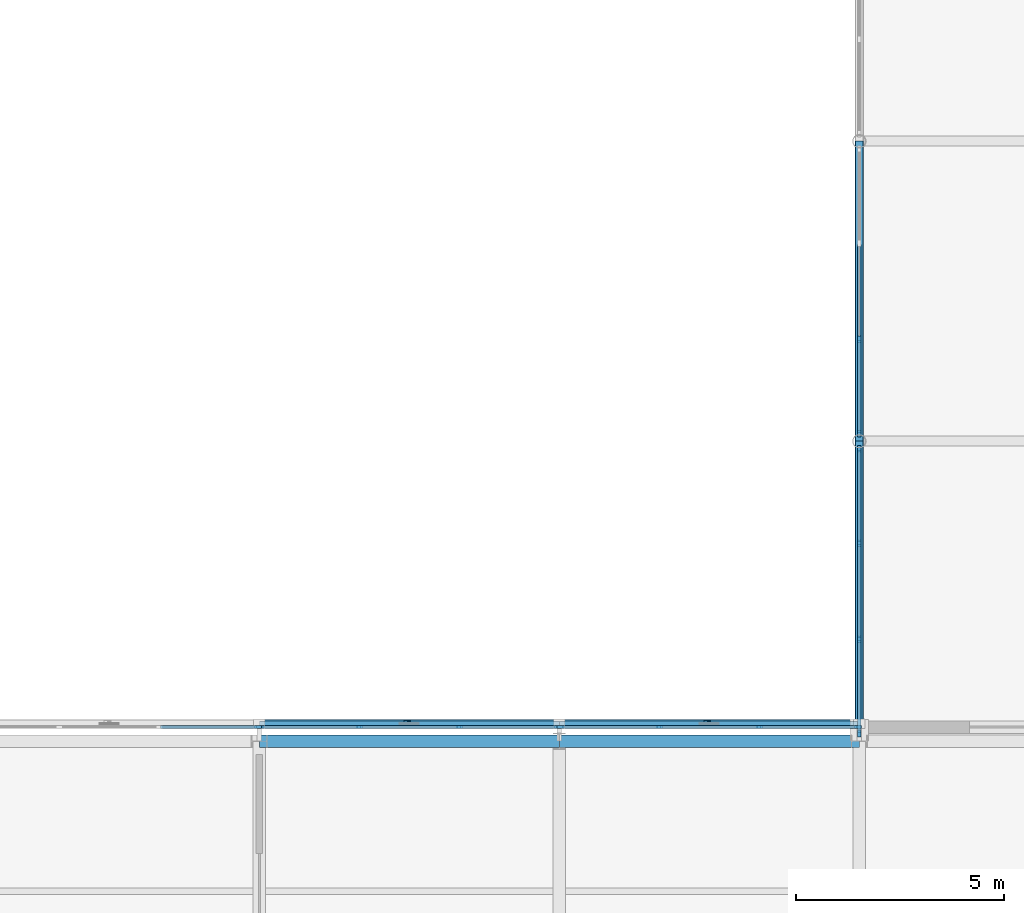
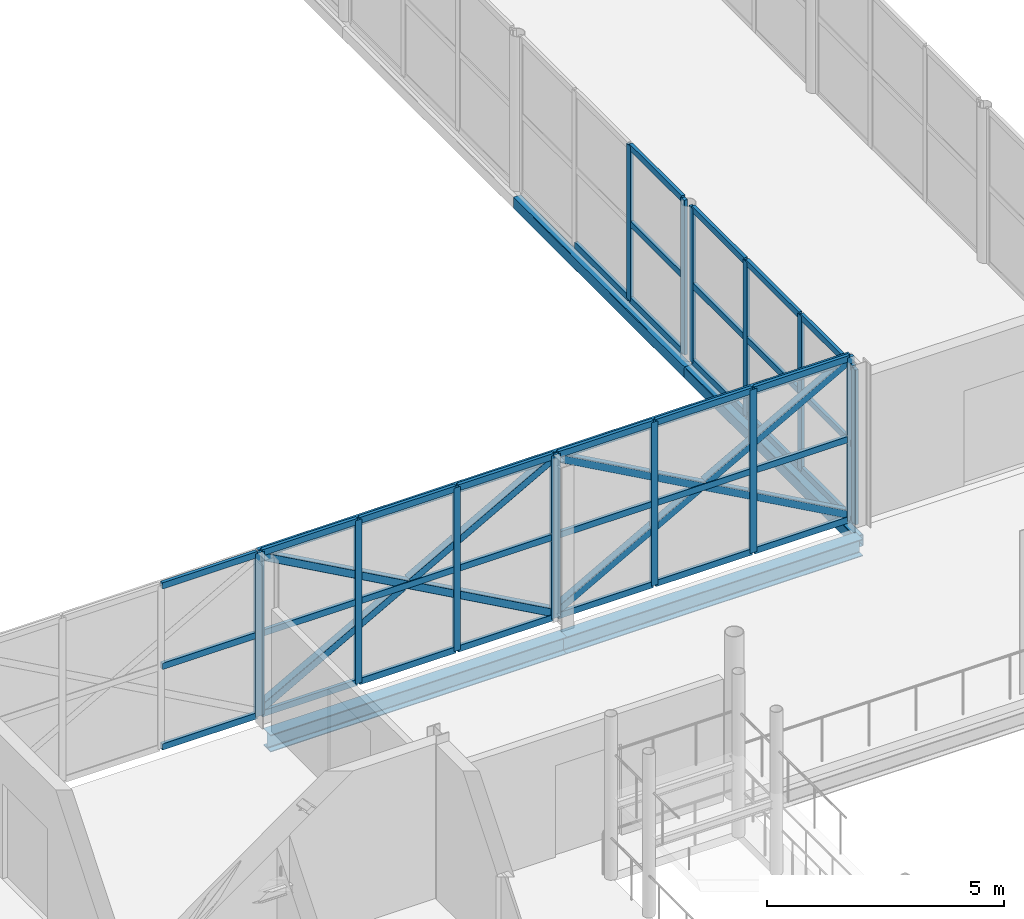
# One storey, part 44 of 146: 57 members, 4 beams, 5 elements without a shape of their own.
"""IFC4 building model written with IfcOpenShell, lengths in metres."""

from ifc_helpers import new_model, si_unit, direction, frame, origin, origin_2d, place, context, subcontext, project, spatial, rectangle, hollow_rectangle, i_section, extrude, material, material_profile, profile_set, type_object, element, aggregate, save


model = new_model("IFC4")

# Units and contexts
model_context = context("Model", 3, precision=1e-05, world=origin(), true_north=direction((0.0, 1.0)))
body_context = subcontext(model_context, "Body", "Model", "MODEL_VIEW")
ifc_project = project(units=[si_unit("LENGTHUNIT", "METRE"), si_unit("AREAUNIT", "SQUARE_METRE"), si_unit("VOLUMEUNIT", "CUBIC_METRE"), si_unit("PLANEANGLEUNIT", "RADIAN"), si_unit("MASSUNIT", "GRAM", prefix="KILO")], contexts=[model_context])

# Site, building, storey
site_placement = place(None, origin())
site = spatial("IfcSite", under=ifc_project, at=site_placement, CompositionType="ELEMENT")
building_placement = place(site_placement, origin())
building = spatial("IfcBuilding", under=site, at=building_placement, Name="Zlatovets Crest Museum", CompositionType="ELEMENT")
storey_placement = place(building_placement, frame((0.0, 0.0, 4.5)))
storey = spatial("IfcBuildingStorey", under=building, at=storey_placement, Name="L01", CompositionType="ELEMENT", Elevation=4.5)

# Beams
ifc_material_1 = material(Name="Structural steel S355J2", Category="steel")
ifc_material_profile_1 = material_profile(ifc_material_1, i_section(OverallWidth=0.300048828125, OverallDepth=0.43994140625, WebThickness=0.011474609375, FlangeThickness=0.02099609375, FilletRadius=0.027099609375, at=origin_2d()), Name="HEA 450")
ifc_profile_set_1 = profile_set([ifc_material_profile_1], Name="Structural steel S355J2")
beam_type_1 = type_object("IfcBeamType", Name="Beam_B-10", PredefinedType="BEAM", material=ifc_profile_set_1)
for number, where, z_axis, x_axis, name in (
    (1, (64.800048828125, 28.800048828125, -0.43994140625), (1.0, 0.0, 0.0), (0.0, 1.0, 0.0), "V2 L01 Primary Girder B-10"),
    (2, (72.0, 28.800048828125, -0.43994140625), (1.0, 0.0, 0.0), (0.0, 1.0, 0.0), "V2 L01 Primary Girder B-10"),
):
    element("IfcBeam", number, at=place(storey_placement, frame(where, z_axis=z_axis, x_axis=x_axis)), inside=storey, type_object=beam_type_1, Name=name, PredefinedType="BEAM", context=body_context, shape_type="SweptSolid", body=[
        extrude(i_section(OverallWidth=0.300048828125, OverallDepth=0.43994140625, WebThickness=0.011474609375, FlangeThickness=0.02099609375, FilletRadius=0.027099609375, at=origin_2d()), origin(), (0.0, 0.0, 1.0), 7.199951171875),
    ])
ifc_material_profile_2 = material_profile(ifc_material_1, hollow_rectangle(XDim=0.199951171875, YDim=0.300048828125, WallThickness=0.012451171875, InnerFilletRadius=0.012451171875, OuterFilletRadius=0.02490234375, at=origin_2d()), Name="RHS 200x300x12.5")
ifc_profile_set_2 = profile_set([ifc_material_profile_2], Name="Structural steel S355J2")
beam_type_2 = type_object("IfcBeamType", Name="Beam_BRG-01", PredefinedType="BEAM", material=ifc_profile_set_2)
for number, where, z_axis, x_axis, name in (
    (3, (79.199951171875, 28.800048828125, -0.3701171875), (0.0, 1.0, 0.0), (-1.0, 0.0, 0.0), "Central Sculpture Court Cloister and Skywalk L01 Stringer Beam"),
    (4, (79.199951171875, 36.0, -0.3701171875), (0.0, 1.0, 0.0), (-1.0, 0.0, 0.0), "Central Sculpture Court Cloister and Skywalk L01 Stringer Beam"),
):
    element("IfcBeam", number, at=place(storey_placement, frame(where, z_axis=z_axis, x_axis=x_axis)), inside=storey, type_object=beam_type_2, Name=name, PredefinedType="BEAM", context=body_context, shape_type="SweptSolid", body=[
        extrude(hollow_rectangle(XDim=0.199951171875, YDim=0.300048828125, WallThickness=0.012451171875, InnerFilletRadius=0.012451171875, OuterFilletRadius=0.02490234375, at=origin_2d()), origin(), (0.0, 0.0, 1.0), 7.199951171875),
    ])

# Curtain wall, members
ifc_material_2 = material(Name="Bronze-anodised aluminium and low-E triple glass", Category="aluminium")
curtain_wall_type_1 = type_object("IfcCurtainWallType", Name="CW_CW-V2-L01-M3", PredefinedType="NOTDEFINED", material=ifc_material_2)
curtain_wall_1_placement = place(storey_placement, origin())
curtain_wall_1 = element("IfcCurtainWall", 5, at=curtain_wall_1_placement, inside=storey, type_object=curtain_wall_type_1, Name="V2 L01 Secession Foyer Clear Curtain Wall", PredefinedType="NOTDEFINED")
ifc_material_3 = material(Name="Bronze-anodised aluminium EN AW-6060", Category="aluminium")
ifc_material_profile_3 = material_profile(ifc_material_3, rectangle(XDim=0.080078125, YDim=0.159912109375, at=origin_2d()), Name="ALU 80x160")
ifc_profile_set_3 = profile_set([ifc_material_profile_3], Name="Bronze-anodised aluminium EN AW-6060")
member_type_1 = type_object("IfcMemberType", Name="CWMull_M1", PredefinedType="MULLION", material=ifc_profile_set_3)
member_1_placement = place(storey_placement, frame((79.169921875, 29.139892578125, 0.0), z_axis=(0.0, 0.0, 1.0), x_axis=(0.0, -1.0, 0.0)))
member_1 = element("IfcMember", 6, at=member_1_placement, type_object=member_type_1, Name="CW-V2-L01-M3 mullion 1", PredefinedType="MULLION", context=body_context, shape_type="SweptSolid", body=[
    extrude(rectangle(XDim=0.080078125, YDim=0.159912109375, at=origin_2d()), origin(), (0.0, 0.0, 1.0), 4.199951171875),
])
member_2_placement = place(storey_placement, frame((76.800048828125, 29.139892578125, 0.0), z_axis=(0.0, 0.0, 1.0), x_axis=(0.0, -1.0, 0.0)))
member_2 = element("IfcMember", 7, at=member_2_placement, type_object=member_type_1, Name="CW-V2-L01-M3 mullion 2", PredefinedType="MULLION", context=body_context, shape_type="SweptSolid", body=[
    extrude(rectangle(XDim=0.080078125, YDim=0.159912109375, at=origin_2d()), origin(), (0.0, 0.0, 1.0), 4.199951171875),
])
member_3_placement = place(storey_placement, frame((74.39990234375, 29.139892578125, 0.0), z_axis=(0.0, 0.0, 1.0), x_axis=(0.0, -1.0, 0.0)))
member_3 = element("IfcMember", 8, at=member_3_placement, type_object=member_type_1, Name="CW-V2-L01-M3 mullion 3", PredefinedType="MULLION", context=body_context, shape_type="SweptSolid", body=[
    extrude(rectangle(XDim=0.080078125, YDim=0.159912109375, at=origin_2d()), origin(), (0.0, 0.0, 1.0), 4.199951171875),
])
member_4_placement = place(storey_placement, frame((72.030029296875, 29.139892578125, 0.0), z_axis=(0.0, 0.0, 1.0), x_axis=(0.0, -1.0, 0.0)))
member_4 = element("IfcMember", 9, at=member_4_placement, type_object=member_type_1, Name="CW-V2-L01-M3 mullion 4", PredefinedType="MULLION", context=body_context, shape_type="SweptSolid", body=[
    extrude(rectangle(XDim=0.080078125, YDim=0.159912109375, at=origin_2d()), origin(), (0.0, 0.0, 1.0), 4.199951171875),
])

curtain_wall_type_2 = type_object("IfcCurtainWallType", Name="CW_CW-V2-L01-M0", PredefinedType="NOTDEFINED", material=ifc_material_2)
curtain_wall_2_placement = place(storey_placement, origin())
curtain_wall_2 = element("IfcCurtainWall", 10, at=curtain_wall_2_placement, inside=storey, type_object=curtain_wall_type_2, Name="V2 L01 Secession Foyer Clear Curtain Wall", PredefinedType="NOTDEFINED")
member_5_placement = place(storey_placement, frame((71.969970703125, 29.139892578125, 0.0), z_axis=(0.0, 0.0, 1.0), x_axis=(0.0, -1.0, 0.0)))
member_5 = element("IfcMember", 11, at=member_5_placement, type_object=member_type_1, Name="CW-V2-L01-M0 mullion 1", PredefinedType="MULLION", context=body_context, shape_type="SweptSolid", body=[
    extrude(rectangle(XDim=0.080078125, YDim=0.159912109375, at=origin_2d()), origin(), (0.0, 0.0, 1.0), 4.199951171875),
])
member_6_placement = place(storey_placement, frame((69.60009765625, 29.139892578125, 0.0), z_axis=(0.0, 0.0, 1.0), x_axis=(0.0, -1.0, 0.0)))
member_6 = element("IfcMember", 12, at=member_6_placement, type_object=member_type_1, Name="CW-V2-L01-M0 mullion 2", PredefinedType="MULLION", context=body_context, shape_type="SweptSolid", body=[
    extrude(rectangle(XDim=0.080078125, YDim=0.159912109375, at=origin_2d()), origin(), (0.0, 0.0, 1.0), 4.199951171875),
])
member_7_placement = place(storey_placement, frame((67.199951171875, 29.139892578125, 0.0), z_axis=(0.0, 0.0, 1.0), x_axis=(0.0, -1.0, 0.0)))
member_7 = element("IfcMember", 13, at=member_7_placement, type_object=member_type_1, Name="CW-V2-L01-M0 mullion 3", PredefinedType="MULLION", context=body_context, shape_type="SweptSolid", body=[
    extrude(rectangle(XDim=0.080078125, YDim=0.159912109375, at=origin_2d()), origin(), (0.0, 0.0, 1.0), 4.199951171875),
])
member_8_placement = place(storey_placement, frame((64.830078125, 29.139892578125, 0.0), z_axis=(0.0, 0.0, 1.0), x_axis=(0.0, -1.0, 0.0)))
member_8 = element("IfcMember", 14, at=member_8_placement, type_object=member_type_1, Name="CW-V2-L01-M0 mullion 4", PredefinedType="MULLION", context=body_context, shape_type="SweptSolid", body=[
    extrude(rectangle(XDim=0.080078125, YDim=0.159912109375, at=origin_2d()), origin(), (0.0, 0.0, 1.0), 4.199951171875),
])

# Curtain wall, member
curtain_wall_type_3 = type_object("IfcCurtainWallType", Name="CW_CW-V2-L01-M1", PredefinedType="NOTDEFINED", material=ifc_material_2)
curtain_wall_3_placement = place(storey_placement, origin())
curtain_wall_3 = element("IfcCurtainWall", 15, at=curtain_wall_3_placement, inside=storey, type_object=curtain_wall_type_3, Name="V2 L01 Secession Foyer Clear Curtain Wall", PredefinedType="NOTDEFINED")
member_9_placement = place(storey_placement, frame((64.77001953125, 29.139892578125, 0.0), z_axis=(0.0, 0.0, 1.0), x_axis=(0.0, -1.0, 0.0)))
member_9 = element("IfcMember", 16, at=member_9_placement, type_object=member_type_1, Name="CW-V2-L01-M1 mullion 1", PredefinedType="MULLION", context=body_context, shape_type="SweptSolid", body=[
    extrude(rectangle(XDim=0.080078125, YDim=0.159912109375, at=origin_2d()), origin(), (0.0, 0.0, 1.0), 4.199951171875),
])

# Curtain wall, members
curtain_wall_type_4 = type_object("IfcCurtainWallType", Name="CW_CW-BR5-L01-S69", PredefinedType="NOTDEFINED", material=ifc_material_2)
curtain_wall_4_placement = place(storey_placement, origin())
curtain_wall_4 = element("IfcCurtainWall", 17, at=curtain_wall_4_placement, inside=storey, type_object=curtain_wall_type_4, Name="Central Sculpture Court Cloister and Skywalk L01 Glazed Bridge Curtain Wall", PredefinedType="NOTDEFINED")
member_10_placement = place(storey_placement, frame((79.199951171875, 28.97998046875, 0.0), z_axis=(0.0, 0.0, 1.0), x_axis=(-1.0, 0.0, 0.0)))
member_10 = element("IfcMember", 18, at=member_10_placement, type_object=member_type_1, Name="CW-BR5-L01-S69 mullion 1", PredefinedType="MULLION", context=body_context, shape_type="SweptSolid", body=[
    extrude(rectangle(XDim=0.080078125, YDim=0.159912109375, at=origin_2d()), origin(), (0.0, 0.0, 1.0), 3.97998046875),
])
member_11_placement = place(storey_placement, frame((79.199951171875, 31.25, 0.0), z_axis=(0.0, 0.0, 1.0), x_axis=(-1.0, 0.0, 0.0)))
member_11 = element("IfcMember", 19, at=member_11_placement, type_object=member_type_1, Name="CW-BR5-L01-S69 mullion 2", PredefinedType="MULLION", context=body_context, shape_type="SweptSolid", body=[
    extrude(rectangle(XDim=0.080078125, YDim=0.159912109375, at=origin_2d()), origin(), (0.0, 0.0, 1.0), 3.97998046875),
])
member_12_placement = place(storey_placement, frame((79.199951171875, 33.550048828125, 0.0), z_axis=(0.0, 0.0, 1.0), x_axis=(-1.0, 0.0, 0.0)))
member_12 = element("IfcMember", 20, at=member_12_placement, type_object=member_type_1, Name="CW-BR5-L01-S69 mullion 3", PredefinedType="MULLION", context=body_context, shape_type="SweptSolid", body=[
    extrude(rectangle(XDim=0.080078125, YDim=0.159912109375, at=origin_2d()), origin(), (0.0, 0.0, 1.0), 3.97998046875),
])
member_13_placement = place(storey_placement, frame((79.199951171875, 35.820068359375, 0.0), z_axis=(0.0, 0.0, 1.0), x_axis=(-1.0, 0.0, 0.0)))
member_13 = element("IfcMember", 21, at=member_13_placement, type_object=member_type_1, Name="CW-BR5-L01-S69 mullion 4", PredefinedType="MULLION", context=body_context, shape_type="SweptSolid", body=[
    extrude(rectangle(XDim=0.080078125, YDim=0.159912109375, at=origin_2d()), origin(), (0.0, 0.0, 1.0), 3.97998046875),
])

curtain_wall_5_placement = place(storey_placement, origin())
curtain_wall_5 = element("IfcCurtainWall", 22, at=curtain_wall_5_placement, inside=storey, type_object=curtain_wall_type_4, Name="Central Sculpture Court Cloister and Skywalk L01 Glazed Bridge Curtain Wall", PredefinedType="NOTDEFINED")
member_14_placement = place(storey_placement, frame((79.199951171875, 36.179931640625, 0.0), z_axis=(0.0, 0.0, 1.0), x_axis=(-1.0, 0.0, 0.0)))
member_14 = element("IfcMember", 23, at=member_14_placement, type_object=member_type_1, Name="CW-BR5-L01-S69 mullion 1", PredefinedType="MULLION", context=body_context, shape_type="SweptSolid", body=[
    extrude(rectangle(XDim=0.080078125, YDim=0.159912109375, at=origin_2d()), origin(), (0.0, 0.0, 1.0), 3.97998046875),
])
member_15_placement = place(storey_placement, frame((79.199951171875, 38.449951171875, 0.0), z_axis=(0.0, 0.0, 1.0), x_axis=(-1.0, 0.0, 0.0)))
member_15 = element("IfcMember", 24, at=member_15_placement, type_object=member_type_1, Name="CW-BR5-L01-S69 mullion 2", PredefinedType="MULLION", context=body_context, shape_type="SweptSolid", body=[
    extrude(rectangle(XDim=0.080078125, YDim=0.159912109375, at=origin_2d()), origin(), (0.0, 0.0, 1.0), 3.97998046875),
])

# Member
ifc_material_profile_4 = material_profile(ifc_material_3, rectangle(XDim=0.080078125, YDim=0.159912109375, at=origin_2d()), Name="ALU 80x160")
ifc_profile_set_4 = profile_set([ifc_material_profile_4], Name="Bronze-anodised aluminium EN AW-6060")
member_type_2 = type_object("IfcMemberType", Name="CWTrans_T1", PredefinedType="USERDEFINED", material=ifc_profile_set_4)
member_16_placement = place(storey_placement, frame((79.139892578125, 29.139892578125, 0.030029296875), z_axis=(-1.0, 0.0, 0.0), x_axis=(0.0, -1.0, 0.0)))
member_16 = element("IfcMember", 25, at=member_16_placement, type_object=member_type_2, Name="CW-V2-L01-M3 transom 1.1", ObjectType="TRANSOM", PredefinedType="USERDEFINED", context=body_context, shape_type="SweptSolid", body=[
    extrude(rectangle(XDim=0.080078125, YDim=0.159912109375, at=origin_2d()), origin(), (0.0, 0.0, 1.0), 2.309814453125),
])

member_17_placement = place(storey_placement, frame((79.139892578125, 29.139892578125, 2.10009765625), z_axis=(-1.0, 0.0, 0.0), x_axis=(0.0, -1.0, 0.0)))
member_17 = element("IfcMember", 26, at=member_17_placement, type_object=member_type_2, Name="CW-V2-L01-M3 transom 1.2", ObjectType="TRANSOM", PredefinedType="USERDEFINED", context=body_context, shape_type="SweptSolid", body=[
    extrude(rectangle(XDim=0.080078125, YDim=0.159912109375, at=origin_2d()), origin(), (0.0, 0.0, 1.0), 2.309814453125),
])

member_18_placement = place(storey_placement, frame((79.139892578125, 29.139892578125, 4.169921875), z_axis=(-1.0, 0.0, 0.0), x_axis=(0.0, -1.0, 0.0)))
member_18 = element("IfcMember", 27, at=member_18_placement, type_object=member_type_2, Name="CW-V2-L01-M3 transom 1.3", ObjectType="TRANSOM", PredefinedType="USERDEFINED", context=body_context, shape_type="SweptSolid", body=[
    extrude(rectangle(XDim=0.080078125, YDim=0.159912109375, at=origin_2d()), origin(), (0.0, 0.0, 1.0), 2.309814453125),
])

member_19_placement = place(storey_placement, frame((76.77001953125, 29.139892578125, 0.030029296875), z_axis=(-1.0, 0.0, 0.0), x_axis=(0.0, -1.0, 0.0)))
member_19 = element("IfcMember", 28, at=member_19_placement, type_object=member_type_2, Name="CW-V2-L01-M3 transom 2.1", ObjectType="TRANSOM", PredefinedType="USERDEFINED", context=body_context, shape_type="SweptSolid", body=[
    extrude(rectangle(XDim=0.080078125, YDim=0.159912109375, at=origin_2d()), origin(), (0.0, 0.0, 1.0), 2.340087890625),
])

member_20_placement = place(storey_placement, frame((76.77001953125, 29.139892578125, 2.10009765625), z_axis=(-1.0, 0.0, 0.0), x_axis=(0.0, -1.0, 0.0)))
member_20 = element("IfcMember", 29, at=member_20_placement, type_object=member_type_2, Name="CW-V2-L01-M3 transom 2.2", ObjectType="TRANSOM", PredefinedType="USERDEFINED", context=body_context, shape_type="SweptSolid", body=[
    extrude(rectangle(XDim=0.080078125, YDim=0.159912109375, at=origin_2d()), origin(), (0.0, 0.0, 1.0), 2.340087890625),
])

member_21_placement = place(storey_placement, frame((76.77001953125, 29.139892578125, 4.169921875), z_axis=(-1.0, 0.0, 0.0), x_axis=(0.0, -1.0, 0.0)))
member_21 = element("IfcMember", 30, at=member_21_placement, type_object=member_type_2, Name="CW-V2-L01-M3 transom 2.3", ObjectType="TRANSOM", PredefinedType="USERDEFINED", context=body_context, shape_type="SweptSolid", body=[
    extrude(rectangle(XDim=0.080078125, YDim=0.159912109375, at=origin_2d()), origin(), (0.0, 0.0, 1.0), 2.340087890625),
])

member_22_placement = place(storey_placement, frame((74.3701171875, 29.139892578125, 0.030029296875), z_axis=(-1.0, 0.0, 0.0), x_axis=(0.0, -1.0, 0.0)))
member_22 = element("IfcMember", 31, at=member_22_placement, type_object=member_type_2, Name="CW-V2-L01-M3 transom 3.1", ObjectType="TRANSOM", PredefinedType="USERDEFINED", context=body_context, shape_type="SweptSolid", body=[
    extrude(rectangle(XDim=0.080078125, YDim=0.159912109375, at=origin_2d()), origin(), (0.0, 0.0, 1.0), 2.31005859375),
])

member_23_placement = place(storey_placement, frame((74.3701171875, 29.139892578125, 2.10009765625), z_axis=(-1.0, 0.0, 0.0), x_axis=(0.0, -1.0, 0.0)))
member_23 = element("IfcMember", 32, at=member_23_placement, type_object=member_type_2, Name="CW-V2-L01-M3 transom 3.2", ObjectType="TRANSOM", PredefinedType="USERDEFINED", context=body_context, shape_type="SweptSolid", body=[
    extrude(rectangle(XDim=0.080078125, YDim=0.159912109375, at=origin_2d()), origin(), (0.0, 0.0, 1.0), 2.31005859375),
])

member_24_placement = place(storey_placement, frame((74.3701171875, 29.139892578125, 4.169921875), z_axis=(-1.0, 0.0, 0.0), x_axis=(0.0, -1.0, 0.0)))
member_24 = element("IfcMember", 33, at=member_24_placement, type_object=member_type_2, Name="CW-V2-L01-M3 transom 3.3", ObjectType="TRANSOM", PredefinedType="USERDEFINED", context=body_context, shape_type="SweptSolid", body=[
    extrude(rectangle(XDim=0.080078125, YDim=0.159912109375, at=origin_2d()), origin(), (0.0, 0.0, 1.0), 2.31005859375),
])

aggregate(curtain_wall_1, [member_1, member_2, member_3, member_4, member_16, member_17, member_18, member_19, member_20, member_21, member_22, member_23, member_24])

member_25_placement = place(storey_placement, frame((71.93994140625, 29.139892578125, 0.030029296875), z_axis=(-1.0, 0.0, 0.0), x_axis=(0.0, -1.0, 0.0)))
member_25 = element("IfcMember", 34, at=member_25_placement, type_object=member_type_2, Name="CW-V2-L01-M0 transom 1.1", ObjectType="TRANSOM", PredefinedType="USERDEFINED", context=body_context, shape_type="SweptSolid", body=[
    extrude(rectangle(XDim=0.080078125, YDim=0.159912109375, at=origin_2d()), origin(), (0.0, 0.0, 1.0), 2.31005859375),
])

member_26_placement = place(storey_placement, frame((71.93994140625, 29.139892578125, 2.10009765625), z_axis=(-1.0, 0.0, 0.0), x_axis=(0.0, -1.0, 0.0)))
member_26 = element("IfcMember", 35, at=member_26_placement, type_object=member_type_2, Name="CW-V2-L01-M0 transom 1.2", ObjectType="TRANSOM", PredefinedType="USERDEFINED", context=body_context, shape_type="SweptSolid", body=[
    extrude(rectangle(XDim=0.080078125, YDim=0.159912109375, at=origin_2d()), origin(), (0.0, 0.0, 1.0), 2.31005859375),
])

member_27_placement = place(storey_placement, frame((71.93994140625, 29.139892578125, 4.169921875), z_axis=(-1.0, 0.0, 0.0), x_axis=(0.0, -1.0, 0.0)))
member_27 = element("IfcMember", 36, at=member_27_placement, type_object=member_type_2, Name="CW-V2-L01-M0 transom 1.3", ObjectType="TRANSOM", PredefinedType="USERDEFINED", context=body_context, shape_type="SweptSolid", body=[
    extrude(rectangle(XDim=0.080078125, YDim=0.159912109375, at=origin_2d()), origin(), (0.0, 0.0, 1.0), 2.31005859375),
])

member_28_placement = place(storey_placement, frame((69.570068359375, 29.139892578125, 0.030029296875), z_axis=(-1.0, 0.0, 0.0), x_axis=(0.0, -1.0, 0.0)))
member_28 = element("IfcMember", 37, at=member_28_placement, type_object=member_type_2, Name="CW-V2-L01-M0 transom 2.1", ObjectType="TRANSOM", PredefinedType="USERDEFINED", context=body_context, shape_type="SweptSolid", body=[
    extrude(rectangle(XDim=0.080078125, YDim=0.159912109375, at=origin_2d()), origin(), (0.0, 0.0, 1.0), 2.340087890625),
])

member_29_placement = place(storey_placement, frame((69.570068359375, 29.139892578125, 2.10009765625), z_axis=(-1.0, 0.0, 0.0), x_axis=(0.0, -1.0, 0.0)))
member_29 = element("IfcMember", 38, at=member_29_placement, type_object=member_type_2, Name="CW-V2-L01-M0 transom 2.2", ObjectType="TRANSOM", PredefinedType="USERDEFINED", context=body_context, shape_type="SweptSolid", body=[
    extrude(rectangle(XDim=0.080078125, YDim=0.159912109375, at=origin_2d()), origin(), (0.0, 0.0, 1.0), 2.340087890625),
])

member_30_placement = place(storey_placement, frame((69.570068359375, 29.139892578125, 4.169921875), z_axis=(-1.0, 0.0, 0.0), x_axis=(0.0, -1.0, 0.0)))
member_30 = element("IfcMember", 39, at=member_30_placement, type_object=member_type_2, Name="CW-V2-L01-M0 transom 2.3", ObjectType="TRANSOM", PredefinedType="USERDEFINED", context=body_context, shape_type="SweptSolid", body=[
    extrude(rectangle(XDim=0.080078125, YDim=0.159912109375, at=origin_2d()), origin(), (0.0, 0.0, 1.0), 2.340087890625),
])

member_31_placement = place(storey_placement, frame((67.169921875, 29.139892578125, 0.030029296875), z_axis=(-1.0, 0.0, 0.0), x_axis=(0.0, -1.0, 0.0)))
member_31 = element("IfcMember", 40, at=member_31_placement, type_object=member_type_2, Name="CW-V2-L01-M0 transom 3.1", ObjectType="TRANSOM", PredefinedType="USERDEFINED", context=body_context, shape_type="SweptSolid", body=[
    extrude(rectangle(XDim=0.080078125, YDim=0.159912109375, at=origin_2d()), origin(), (0.0, 0.0, 1.0), 2.309814453125),
])

member_32_placement = place(storey_placement, frame((67.169921875, 29.139892578125, 2.10009765625), z_axis=(-1.0, 0.0, 0.0), x_axis=(0.0, -1.0, 0.0)))
member_32 = element("IfcMember", 41, at=member_32_placement, type_object=member_type_2, Name="CW-V2-L01-M0 transom 3.2", ObjectType="TRANSOM", PredefinedType="USERDEFINED", context=body_context, shape_type="SweptSolid", body=[
    extrude(rectangle(XDim=0.080078125, YDim=0.159912109375, at=origin_2d()), origin(), (0.0, 0.0, 1.0), 2.309814453125),
])

member_33_placement = place(storey_placement, frame((67.169921875, 29.139892578125, 4.169921875), z_axis=(-1.0, 0.0, 0.0), x_axis=(0.0, -1.0, 0.0)))
member_33 = element("IfcMember", 42, at=member_33_placement, type_object=member_type_2, Name="CW-V2-L01-M0 transom 3.3", ObjectType="TRANSOM", PredefinedType="USERDEFINED", context=body_context, shape_type="SweptSolid", body=[
    extrude(rectangle(XDim=0.080078125, YDim=0.159912109375, at=origin_2d()), origin(), (0.0, 0.0, 1.0), 2.309814453125),
])

aggregate(curtain_wall_2, [member_5, member_6, member_7, member_8, member_25, member_26, member_27, member_28, member_29, member_30, member_31, member_32, member_33])

member_34_placement = place(storey_placement, frame((64.739990234375, 29.139892578125, 0.030029296875), z_axis=(-1.0, 0.0, 0.0), x_axis=(0.0, -1.0, 0.0)))
member_34 = element("IfcMember", 43, at=member_34_placement, type_object=member_type_2, Name="CW-V2-L01-M1 transom 1.1", ObjectType="TRANSOM", PredefinedType="USERDEFINED", context=body_context, shape_type="SweptSolid", body=[
    extrude(rectangle(XDim=0.080078125, YDim=0.159912109375, at=origin_2d()), origin(), (0.0, 0.0, 1.0), 2.31005859375),
])

member_35_placement = place(storey_placement, frame((64.739990234375, 29.139892578125, 2.10009765625), z_axis=(-1.0, 0.0, 0.0), x_axis=(0.0, -1.0, 0.0)))
member_35 = element("IfcMember", 44, at=member_35_placement, type_object=member_type_2, Name="CW-V2-L01-M1 transom 1.2", ObjectType="TRANSOM", PredefinedType="USERDEFINED", context=body_context, shape_type="SweptSolid", body=[
    extrude(rectangle(XDim=0.080078125, YDim=0.159912109375, at=origin_2d()), origin(), (0.0, 0.0, 1.0), 2.31005859375),
])

member_36_placement = place(storey_placement, frame((64.739990234375, 29.139892578125, 4.169921875), z_axis=(-1.0, 0.0, 0.0), x_axis=(0.0, -1.0, 0.0)))
member_36 = element("IfcMember", 45, at=member_36_placement, type_object=member_type_2, Name="CW-V2-L01-M1 transom 1.3", ObjectType="TRANSOM", PredefinedType="USERDEFINED", context=body_context, shape_type="SweptSolid", body=[
    extrude(rectangle(XDim=0.080078125, YDim=0.159912109375, at=origin_2d()), origin(), (0.0, 0.0, 1.0), 2.31005859375),
])

aggregate(curtain_wall_3, [member_9, member_34, member_35, member_36])

member_37_placement = place(storey_placement, frame((79.199951171875, 29.010009765625, 0.030029296875), z_axis=(0.0, 1.0, 0.0), x_axis=(-1.0, 0.0, 0.0)))
member_37 = element("IfcMember", 46, at=member_37_placement, type_object=member_type_2, Name="CW-BR5-L01-S69 transom 1.1", ObjectType="TRANSOM", PredefinedType="USERDEFINED", context=body_context, shape_type="SweptSolid", body=[
    extrude(rectangle(XDim=0.080078125, YDim=0.159912109375, at=origin_2d()), origin(), (0.0, 0.0, 1.0), 2.2099609375),
])

member_38_placement = place(storey_placement, frame((79.199951171875, 29.010009765625, 1.989990234375), z_axis=(0.0, 1.0, 0.0), x_axis=(-1.0, 0.0, 0.0)))
member_38 = element("IfcMember", 47, at=member_38_placement, type_object=member_type_2, Name="CW-BR5-L01-S69 transom 1.2", ObjectType="TRANSOM", PredefinedType="USERDEFINED", context=body_context, shape_type="SweptSolid", body=[
    extrude(rectangle(XDim=0.080078125, YDim=0.159912109375, at=origin_2d()), origin(), (0.0, 0.0, 1.0), 2.2099609375),
])

member_39_placement = place(storey_placement, frame((79.199951171875, 29.010009765625, 3.949951171875), z_axis=(0.0, 1.0, 0.0), x_axis=(-1.0, 0.0, 0.0)))
member_39 = element("IfcMember", 48, at=member_39_placement, type_object=member_type_2, Name="CW-BR5-L01-S69 transom 1.3", ObjectType="TRANSOM", PredefinedType="USERDEFINED", context=body_context, shape_type="SweptSolid", body=[
    extrude(rectangle(XDim=0.080078125, YDim=0.159912109375, at=origin_2d()), origin(), (0.0, 0.0, 1.0), 2.2099609375),
])

member_40_placement = place(storey_placement, frame((79.199951171875, 31.280029296875, 0.030029296875), z_axis=(0.0, 1.0, 0.0), x_axis=(-1.0, 0.0, 0.0)))
member_40 = element("IfcMember", 49, at=member_40_placement, type_object=member_type_2, Name="CW-BR5-L01-S69 transom 2.1", ObjectType="TRANSOM", PredefinedType="USERDEFINED", context=body_context, shape_type="SweptSolid", body=[
    extrude(rectangle(XDim=0.080078125, YDim=0.159912109375, at=origin_2d()), origin(), (0.0, 0.0, 1.0), 2.239990234375),
])

member_41_placement = place(storey_placement, frame((79.199951171875, 31.280029296875, 1.989990234375), z_axis=(0.0, 1.0, 0.0), x_axis=(-1.0, 0.0, 0.0)))
member_41 = element("IfcMember", 50, at=member_41_placement, type_object=member_type_2, Name="CW-BR5-L01-S69 transom 2.2", ObjectType="TRANSOM", PredefinedType="USERDEFINED", context=body_context, shape_type="SweptSolid", body=[
    extrude(rectangle(XDim=0.080078125, YDim=0.159912109375, at=origin_2d()), origin(), (0.0, 0.0, 1.0), 2.239990234375),
])

member_42_placement = place(storey_placement, frame((79.199951171875, 31.280029296875, 3.949951171875), z_axis=(0.0, 1.0, 0.0), x_axis=(-1.0, 0.0, 0.0)))
member_42 = element("IfcMember", 51, at=member_42_placement, type_object=member_type_2, Name="CW-BR5-L01-S69 transom 2.3", ObjectType="TRANSOM", PredefinedType="USERDEFINED", context=body_context, shape_type="SweptSolid", body=[
    extrude(rectangle(XDim=0.080078125, YDim=0.159912109375, at=origin_2d()), origin(), (0.0, 0.0, 1.0), 2.239990234375),
])

member_43_placement = place(storey_placement, frame((79.199951171875, 33.580078125, 0.030029296875), z_axis=(0.0, 1.0, 0.0), x_axis=(-1.0, 0.0, 0.0)))
member_43 = element("IfcMember", 52, at=member_43_placement, type_object=member_type_2, Name="CW-BR5-L01-S69 transom 3.1", ObjectType="TRANSOM", PredefinedType="USERDEFINED", context=body_context, shape_type="SweptSolid", body=[
    extrude(rectangle(XDim=0.080078125, YDim=0.159912109375, at=origin_2d()), origin(), (0.0, 0.0, 1.0), 2.2099609375),
])

member_44_placement = place(storey_placement, frame((79.199951171875, 33.580078125, 1.989990234375), z_axis=(0.0, 1.0, 0.0), x_axis=(-1.0, 0.0, 0.0)))
member_44 = element("IfcMember", 53, at=member_44_placement, type_object=member_type_2, Name="CW-BR5-L01-S69 transom 3.2", ObjectType="TRANSOM", PredefinedType="USERDEFINED", context=body_context, shape_type="SweptSolid", body=[
    extrude(rectangle(XDim=0.080078125, YDim=0.159912109375, at=origin_2d()), origin(), (0.0, 0.0, 1.0), 2.2099609375),
])

member_45_placement = place(storey_placement, frame((79.199951171875, 33.580078125, 3.949951171875), z_axis=(0.0, 1.0, 0.0), x_axis=(-1.0, 0.0, 0.0)))
member_45 = element("IfcMember", 54, at=member_45_placement, type_object=member_type_2, Name="CW-BR5-L01-S69 transom 3.3", ObjectType="TRANSOM", PredefinedType="USERDEFINED", context=body_context, shape_type="SweptSolid", body=[
    extrude(rectangle(XDim=0.080078125, YDim=0.159912109375, at=origin_2d()), origin(), (0.0, 0.0, 1.0), 2.2099609375),
])

aggregate(curtain_wall_4, [member_10, member_11, member_12, member_13, member_37, member_38, member_39, member_40, member_41, member_42, member_43, member_44, member_45])

member_46_placement = place(storey_placement, frame((79.199951171875, 36.2099609375, 0.030029296875), z_axis=(0.0, 1.0, 0.0), x_axis=(-1.0, 0.0, 0.0)))
member_46 = element("IfcMember", 55, at=member_46_placement, type_object=member_type_2, Name="CW-BR5-L01-S69 transom 1.1", ObjectType="TRANSOM", PredefinedType="USERDEFINED", context=body_context, shape_type="SweptSolid", body=[
    extrude(rectangle(XDim=0.080078125, YDim=0.159912109375, at=origin_2d()), origin(), (0.0, 0.0, 1.0), 2.2099609375),
])

member_47_placement = place(storey_placement, frame((79.199951171875, 36.2099609375, 1.989990234375), z_axis=(0.0, 1.0, 0.0), x_axis=(-1.0, 0.0, 0.0)))
member_47 = element("IfcMember", 56, at=member_47_placement, type_object=member_type_2, Name="CW-BR5-L01-S69 transom 1.2", ObjectType="TRANSOM", PredefinedType="USERDEFINED", context=body_context, shape_type="SweptSolid", body=[
    extrude(rectangle(XDim=0.080078125, YDim=0.159912109375, at=origin_2d()), origin(), (0.0, 0.0, 1.0), 2.2099609375),
])

member_48_placement = place(storey_placement, frame((79.199951171875, 36.2099609375, 3.949951171875), z_axis=(0.0, 1.0, 0.0), x_axis=(-1.0, 0.0, 0.0)))
member_48 = element("IfcMember", 57, at=member_48_placement, type_object=member_type_2, Name="CW-BR5-L01-S69 transom 1.3", ObjectType="TRANSOM", PredefinedType="USERDEFINED", context=body_context, shape_type="SweptSolid", body=[
    extrude(rectangle(XDim=0.080078125, YDim=0.159912109375, at=origin_2d()), origin(), (0.0, 0.0, 1.0), 2.2099609375),
])

member_49_placement = place(storey_placement, frame((79.199951171875, 38.47998046875, 0.030029296875), z_axis=(0.0, 1.0, 0.0), x_axis=(-1.0, 0.0, 0.0)))
member_49 = element("IfcMember", 58, at=member_49_placement, type_object=member_type_2, Name="CW-BR5-L01-S69 transom 2.1", ObjectType="TRANSOM", PredefinedType="USERDEFINED", context=body_context, shape_type="SweptSolid", body=[
    extrude(rectangle(XDim=0.080078125, YDim=0.159912109375, at=origin_2d()), origin(), (0.0, 0.0, 1.0), 2.239990234375),
])

aggregate(curtain_wall_5, [member_14, member_15, member_46, member_47, member_48, member_49])

# Members
ifc_material_4 = material(Name="Weathering bronze-steel S355J2W", Category="steel")
ifc_material_profile_5 = material_profile(ifc_material_4, hollow_rectangle(XDim=0.199951171875, YDim=0.199951171875, WallThickness=0.012451171875, InnerFilletRadius=0.012451171875, OuterFilletRadius=0.02490234375, at=origin_2d()), Name="SHS 200x200x12.5")
ifc_profile_set_5 = profile_set([ifc_material_profile_5], Name="Weathering bronze-steel S355J2W")
member_type_3 = type_object("IfcMemberType", Name="Lattice_XL-02", PredefinedType="BRACE", material=ifc_profile_set_5)
member_50_placement = place(storey_placement, frame((79.199951171875, 29.219970703125, 0.10009765625), z_axis=(-0.874155877937, 0.0, 0.485645447903), x_axis=(0.0, -1.0, 0.0)))
element("IfcMember", 59, at=member_50_placement, inside=storey, type_object=member_type_3, Name="Continuous Bronze Lattice Diagonal", PredefinedType="BRACE", context=body_context, shape_type="SweptSolid", body=[
    extrude(hollow_rectangle(XDim=0.199951171875, YDim=0.199951171875, WallThickness=0.012451171875, InnerFilletRadius=0.012451171875, OuterFilletRadius=0.02490234375, at=origin_2d()), origin(), (0.0, 0.0, 1.0), 8.236572265625),
])
member_51_placement = place(storey_placement, frame((79.199951171875, 29.219970703125, 4.10009765625), z_axis=(-0.874125788284, 0.0, -0.485699604958), x_axis=(0.0, -1.0, 0.0)))
element("IfcMember", 60, at=member_51_placement, inside=storey, type_object=member_type_3, Name="Split Crossing Bronze Lattice Diagonal Upper", PredefinedType="BRACE", context=body_context, shape_type="SweptSolid", body=[
    extrude(hollow_rectangle(XDim=0.199951171875, YDim=0.199951171875, WallThickness=0.012451171875, InnerFilletRadius=0.012451171875, OuterFilletRadius=0.02490234375, at=origin_2d()), origin(), (0.0, 0.0, 1.0), 4.023193359375),
])
member_52_placement = place(storey_placement, frame((75.51708984375, 29.219970703125, 2.053955078125), z_axis=(-0.874165862873, 0.0, -0.485627474703), x_axis=(0.0, -1.0, 0.0)))
element("IfcMember", 61, at=member_52_placement, inside=storey, type_object=member_type_3, Name="Split Crossing Bronze Lattice Diagonal Lower", PredefinedType="BRACE", context=body_context, shape_type="SweptSolid", body=[
    extrude(hollow_rectangle(XDim=0.199951171875, YDim=0.199951171875, WallThickness=0.012451171875, InnerFilletRadius=0.012451171875, OuterFilletRadius=0.02490234375, at=origin_2d()), origin(), (0.0, 0.0, 1.0), 4.0234375),
])
member_53_placement = place(storey_placement, frame((72.0, 29.219970703125, 0.10009765625), z_axis=(-0.874155877937, 0.0, 0.485645447903), x_axis=(0.0, -1.0, 0.0)))
element("IfcMember", 62, at=member_53_placement, inside=storey, type_object=member_type_3, Name="Continuous Bronze Lattice Diagonal", PredefinedType="BRACE", context=body_context, shape_type="SweptSolid", body=[
    extrude(hollow_rectangle(XDim=0.199951171875, YDim=0.199951171875, WallThickness=0.012451171875, InnerFilletRadius=0.012451171875, OuterFilletRadius=0.02490234375, at=origin_2d()), origin(), (0.0, 0.0, 1.0), 8.236572265625),
])
member_54_placement = place(storey_placement, frame((72.0, 29.219970703125, 4.10009765625), z_axis=(-0.874140102304, 0.0, -0.485673842763), x_axis=(0.0, -1.0, 0.0)))
element("IfcMember", 63, at=member_54_placement, inside=storey, type_object=member_type_3, Name="Split Crossing Bronze Lattice Diagonal Upper", PredefinedType="BRACE", context=body_context, shape_type="SweptSolid", body=[
    extrude(hollow_rectangle(XDim=0.199951171875, YDim=0.199951171875, WallThickness=0.012451171875, InnerFilletRadius=0.012451171875, OuterFilletRadius=0.02490234375, at=origin_2d()), origin(), (0.0, 0.0, 1.0), 4.0234375),
])
member_55_placement = place(storey_placement, frame((68.31689453125, 29.219970703125, 2.053955078125), z_axis=(-0.874151551165, 0.0, -0.485653235958), x_axis=(0.0, -1.0, 0.0)))
element("IfcMember", 64, at=member_55_placement, inside=storey, type_object=member_type_3, Name="Split Crossing Bronze Lattice Diagonal Lower", PredefinedType="BRACE", context=body_context, shape_type="SweptSolid", body=[
    extrude(hollow_rectangle(XDim=0.199951171875, YDim=0.199951171875, WallThickness=0.012451171875, InnerFilletRadius=0.012451171875, OuterFilletRadius=0.02490234375, at=origin_2d()), origin(), (0.0, 0.0, 1.0), 4.023193359375),
])
ifc_material_profile_6 = material_profile(ifc_material_4, hollow_rectangle(XDim=0.1201171875, YDim=0.239990234375, WallThickness=0.010009765625, InnerFilletRadius=0.010009765625, OuterFilletRadius=0.02001953125, at=origin_2d()), Name="RHS 120x240x10.0")
ifc_profile_set_6 = profile_set([ifc_material_profile_6], Name="Weathering bronze-steel S355J2W")
member_type_4 = type_object("IfcMemberType", Name="Lattice_XL-04", PredefinedType="CHORD", material=ifc_profile_set_6)
for number, where, z_axis, x_axis, name in (
    (65, (79.199951171875, 29.219970703125, 4.10009765625), (-1.0, 0.0, 0.0), (0.0, -1.0, 0.0), "Art Nouveau Woven Cage Collector Ring Chord"),
    (66, (72.0, 29.219970703125, 4.10009765625), (-1.0, 0.0, 0.0), (0.0, -1.0, 0.0), "Art Nouveau Woven Cage Collector Ring Chord"),
):
    element("IfcMember", number, at=place(storey_placement, frame(where, z_axis=z_axis, x_axis=x_axis)), inside=storey, type_object=member_type_4, Name=name, PredefinedType="CHORD", context=body_context, shape_type="SweptSolid", body=[
        extrude(hollow_rectangle(XDim=0.1201171875, YDim=0.239990234375, WallThickness=0.010009765625, InnerFilletRadius=0.010009765625, OuterFilletRadius=0.02001953125, at=origin_2d()), origin(), (0.0, 0.0, 1.0), 7.199951171875),
    ])

save(model, "model.ifc")
